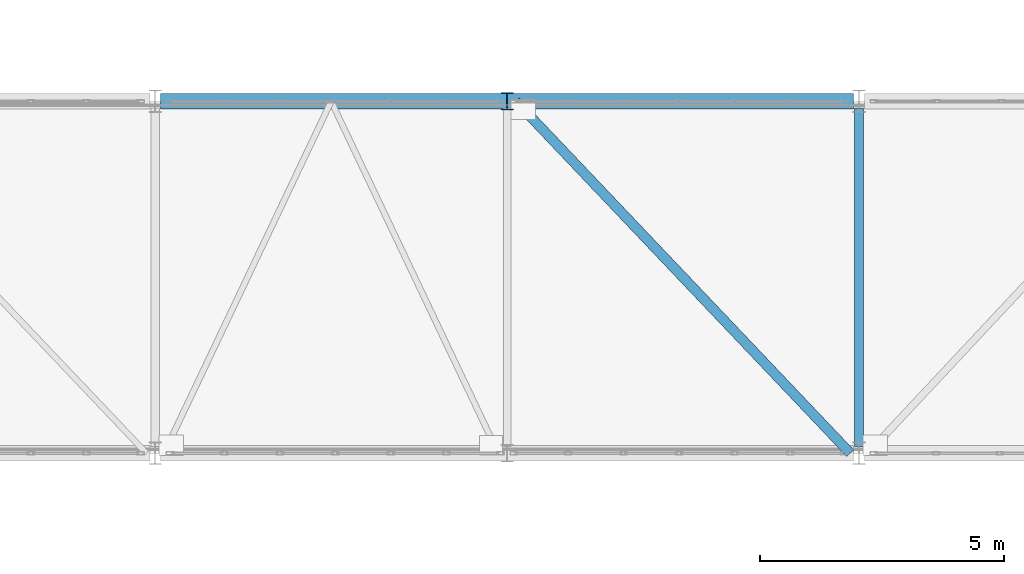
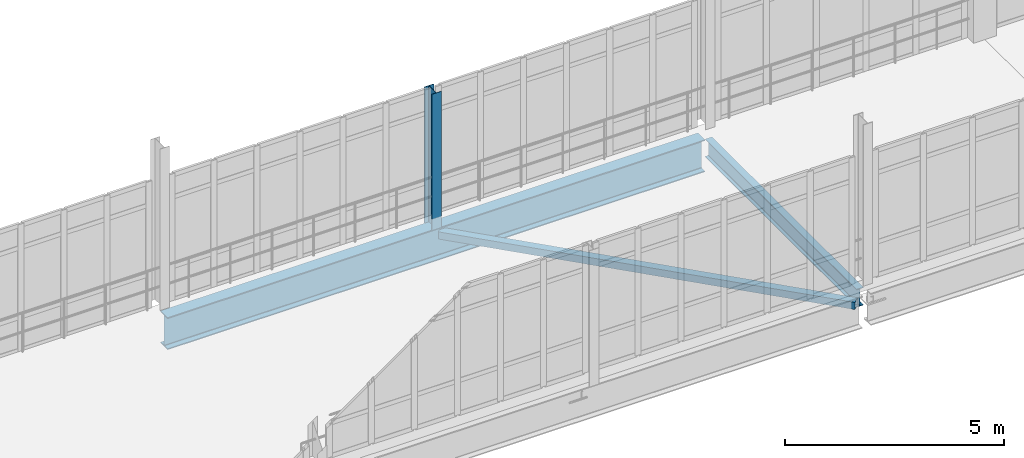
# One storey, part 47 of 124: 2 beams, 2 members.
"""IFC4 building model written with IfcOpenShell, lengths in metres."""

from ifc_helpers import new_model, si_unit, direction, frame, origin, origin_2d, place, context, subcontext, project, spatial, hollow_rectangle, i_section, extrude, material, material_profile, profile_set, type_object, element, save


model = new_model("IFC4")

# Units and contexts
model_context = context("Model", 3, precision=1e-05, world=origin(), true_north=direction((0.0, 1.0)))
body_context = subcontext(model_context, "Body", "Model", "MODEL_VIEW")
ifc_project = project(units=[si_unit("LENGTHUNIT", "METRE"), si_unit("AREAUNIT", "SQUARE_METRE"), si_unit("VOLUMEUNIT", "CUBIC_METRE"), si_unit("PLANEANGLEUNIT", "RADIAN"), si_unit("MASSUNIT", "GRAM", prefix="KILO")], contexts=[model_context])

# Site, building, storey
site_placement = place(None, origin())
site = spatial("IfcSite", under=ifc_project, at=site_placement, CompositionType="ELEMENT")
building_placement = place(site_placement, origin())
building = spatial("IfcBuilding", under=site, at=building_placement, Name="Kalluvel Institute of Natural Sciences", CompositionType="ELEMENT")
storey_placement = place(building_placement, frame((0.0, 0.0, 9.89990234375)))
storey = spatial("IfcBuildingStorey", under=building, at=storey_placement, Name="L02", CompositionType="ELEMENT", Elevation=9.89990234375)

# Beams
ifc_material = material(Name="Steel E350 Grade 350", Category="steel")
ifc_material_profile_1 = material_profile(ifc_material, i_section(OverallWidth=0.179931640625, OverallDepth=0.5, WebThickness=0.01025390625, FlangeThickness=0.01708984375, FilletRadius=0.01708984375, at=origin_2d()), Name="ISMB 500")
ifc_profile_set_1 = profile_set([ifc_material_profile_1], Name="Steel E350 Grade 350")
beam_type_1 = type_object("IfcBeamType", Name="BM-ISMB500", PredefinedType="BEAM", material=ifc_profile_set_1)
beam_1_placement = place(storey_placement, frame((93.199951171875, 28.5400390625, -0.56982421875), z_axis=(0.0, 1.0, 0.0), x_axis=(-1.0, 0.0, 0.0)))
element("IfcBeam", 1, at=beam_1_placement, inside=storey, type_object=beam_type_1, Name="L02 link bridge cross girder 62", PredefinedType="BEAM", context=body_context, shape_type="SweptSolid", body=[
    extrude(i_section(OverallWidth=0.179931640625, OverallDepth=0.5, WebThickness=0.01025390625, FlangeThickness=0.01708984375, FilletRadius=0.01708984375, at=origin_2d()), origin(), (0.0, 0.0, 1.0), 6.919921875),
])
ifc_material_profile_2 = material_profile(ifc_material, i_section(OverallWidth=0.320068359375, OverallDepth=0.89990234375, WebThickness=0.01611328125, FlangeThickness=0.028076171875, FilletRadius=0.01806640625, at=origin_2d()), Name="WPG 900x320")
ifc_profile_set_2 = profile_set([ifc_material_profile_2], Name="Steel E350 Grade 350")
beam_type_2 = type_object("IfcBeamType", Name="BM-WPG900", PredefinedType="BEAM", material=ifc_profile_set_2)
beam_2_placement = place(storey_placement, frame((78.909912109375, 35.60009765625, -0.77001953125), z_axis=(1.0, 0.0, 0.0), x_axis=(0.0, 1.0, 0.0)))
element("IfcBeam", 2, at=beam_2_placement, inside=storey, type_object=beam_type_2, Name="L02 link bridge main plate-girder chord 31", PredefinedType="BEAM", context=body_context, shape_type="SweptSolid", body=[
    extrude(i_section(OverallWidth=0.320068359375, OverallDepth=0.89990234375, WebThickness=0.01611328125, FlangeThickness=0.028076171875, FilletRadius=0.01806640625, at=origin_2d()), origin(), (0.0, 0.0, 1.0), 14.18017578125),
])

# Members
ifc_material_profile_3 = material_profile(ifc_material, hollow_rectangle(XDim=0.199951171875, YDim=0.199951171875, WallThickness=0.010009765625, at=origin_2d()), Name="SHS 200x200x10")
ifc_profile_set_3 = profile_set([ifc_material_profile_3], Name="Steel E350 Grade 350")
member_type_1 = type_object("IfcMemberType", Name="MB-BR-SHS200", PredefinedType="BRACE", material=ifc_profile_set_3)
member_1_placement = place(storey_placement, frame((86.179931640625, 35.60009765625, -0.599853515625), z_axis=(0.688744293312, -0.725004343732, 0.0), x_axis=(0.725004343732, 0.688744293312, 0.0)))
element("IfcMember", 3, at=member_1_placement, inside=storey, type_object=member_type_1, Name="L02 link bridge horizontal plan brace L02-08-1", PredefinedType="BRACE", context=body_context, shape_type="SweptSolid", body=[
    extrude(hollow_rectangle(XDim=0.199951171875, YDim=0.199951171875, WallThickness=0.010009765625, at=origin_2d()), origin(), (0.0, 0.0, 1.0), 9.93115234375),
])
ifc_material_profile_4 = material_profile(ifc_material, i_section(OverallWidth=0.25, OverallDepth=0.35009765625, WebThickness=0.010009765625, FlangeThickness=0.01171875, FilletRadius=0.011962890625, at=origin_2d()), Name="ISHB 350")
ifc_profile_set_4 = profile_set([ifc_material_profile_4], Name="Steel E350 Grade 350")
member_type_2 = type_object("IfcMemberType", Name="MB-ST-ISHB350", PredefinedType="STRUT", material=ifc_profile_set_4)
member_2_placement = place(storey_placement, frame((86.0, 35.60009765625, -0.31982421875), z_axis=(0.0, 0.0, 1.0), x_axis=(1.0, 0.0, 0.0)))
element("IfcMember", 4, at=member_2_placement, inside=storey, type_object=member_type_2, Name="Glazed link bridge truss post 46", PredefinedType="STRUT", context=body_context, shape_type="SweptSolid", body=[
    extrude(i_section(OverallWidth=0.25, OverallDepth=0.35009765625, WebThickness=0.010009765625, FlangeThickness=0.01171875, FilletRadius=0.011962890625, at=origin_2d()), origin(), (0.0, 0.0, 1.0), 3.7998046875),
])

save(model, "model.ifc")
